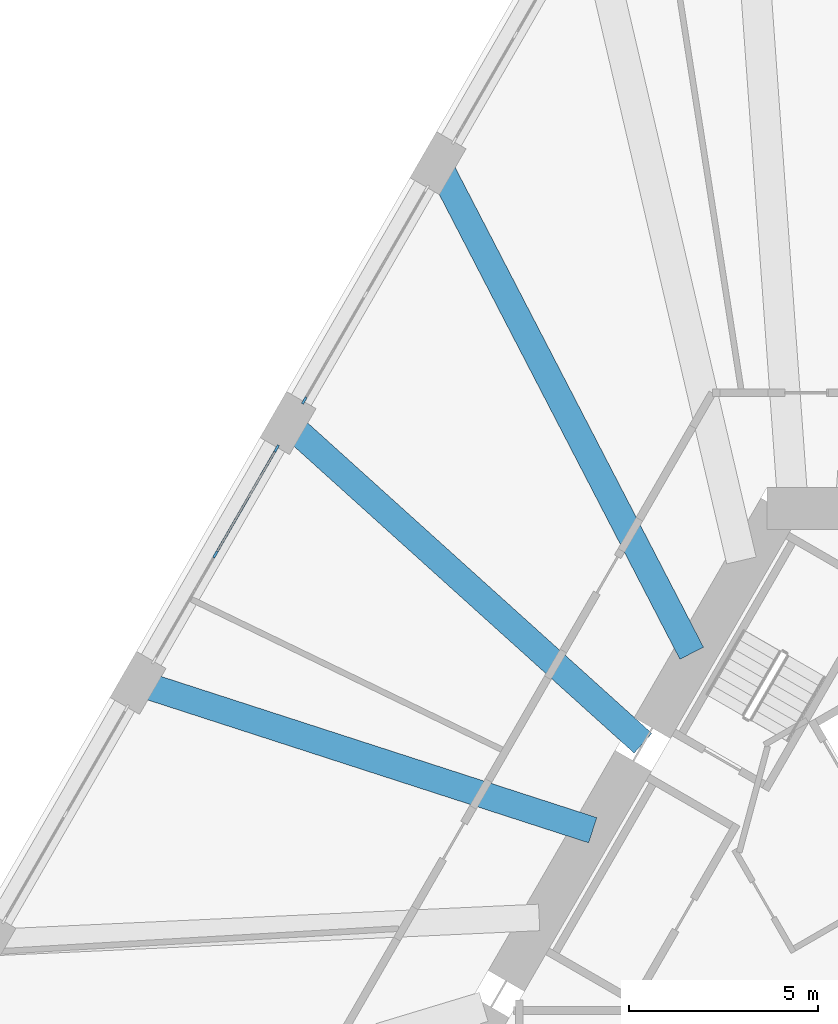
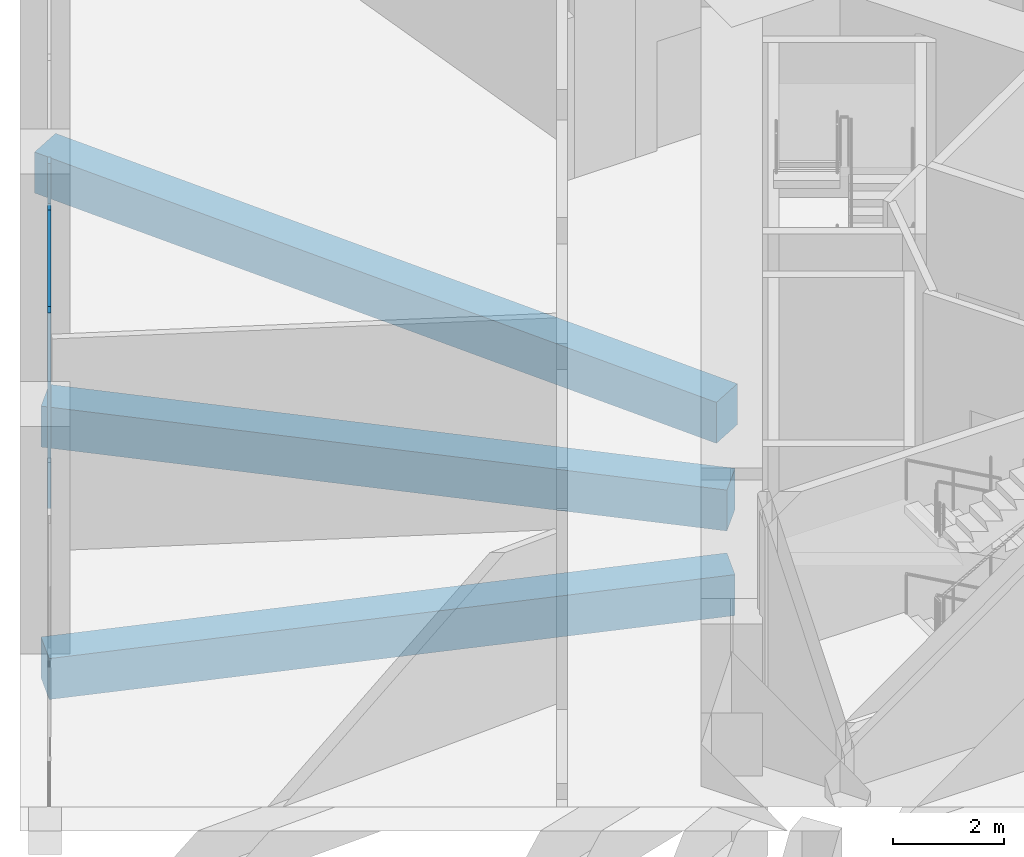
# One storey, part 6 of 20: 4 members, 3 beams, 2 elements without a shape of their own.
"""IFC4 building model written with IfcOpenShell, lengths in metres."""

from ifc_helpers import new_model, si_unit, direction, frame, origin, origin_2d, place, context, subcontext, project, spatial, rectangle, extrude, material, layer, layer_set, material_profile, profile_set, type_object, element, aggregate, save


model = new_model("IFC4")

# Units and contexts
model_context = context("Model", 3, precision=1e-05, world=origin(), true_north=direction((0.0, 1.0)))
body_context = subcontext(model_context, "Body", "Model", "MODEL_VIEW")
ifc_project = project(units=[si_unit("LENGTHUNIT", "METRE"), si_unit("AREAUNIT", "SQUARE_METRE"), si_unit("VOLUMEUNIT", "CUBIC_METRE"), si_unit("PLANEANGLEUNIT", "RADIAN"), si_unit("MASSUNIT", "GRAM", prefix="KILO")], contexts=[model_context])

# Site, building, storey
site_placement = place(None, origin())
site = spatial("IfcSite", under=ifc_project, at=site_placement, CompositionType="ELEMENT")
building_placement = place(site_placement, origin())
building = spatial("IfcBuilding", under=site, at=building_placement, Name="Tramontana Tower", CompositionType="ELEMENT")
storey_placement = place(building_placement, frame((0.0, 0.0, 20.0)))
storey = spatial("IfcBuildingStorey", under=building, at=storey_placement, Name="L03", CompositionType="ELEMENT", Elevation=20.0)

# Curtain wall, member
ifc_material_1 = material(Name="Aluminum extrusion", Category="aluminium")
ifc_layer = layer(ifc_material_1, 0.14990234375)
ifc_layer_set = layer_set([ifc_layer], Name="CW2 Podium amenity curtain wall")
curtain_wall_type = type_object("IfcCurtainWallType", Name="CW2 Podium amenity curtain wall", PredefinedType="NOTDEFINED", material=ifc_layer_set)
curtain_wall_1_placement = place(storey_placement, origin())
curtain_wall_1 = element("IfcCurtainWall", 1, at=curtain_wall_1_placement, inside=storey, type_object=curtain_wall_type, Name="CW2 curtain wall L03 face 0 bay 3", PredefinedType="NOTDEFINED")
ifc_material_2 = material(Name="Aluminum extrusion", Category="aluminium")
ifc_material_profile_1 = material_profile(ifc_material_2, rectangle(XDim=0.06005859375, YDim=0.199951171875, at=origin_2d()), Name="CW2-M Mullion 60 x 200")
ifc_profile_set_1 = profile_set([ifc_material_profile_1], Name="Aluminum extrusion")
member_type_1 = type_object("IfcMemberType", Name="CW2-M Mullion 60 x 200", PredefinedType="MULLION", material=ifc_profile_set_1)
member_1_placement = place(storey_placement, frame((-13.6552734375, 13.29833984375, 0.0), z_axis=(0.0, 0.0, 1.0), x_axis=(0.866025403784, -0.5, 0.0)))
member_1 = element("IfcMember", 2, at=member_1_placement, type_object=member_type_1, Name="CW2 curtain wall L03 face 0 bay 3 mullion 3", PredefinedType="MULLION", context=body_context, shape_type="SweptSolid", body=[
    extrude(rectangle(XDim=0.06005859375, YDim=0.199951171875, at=origin_2d()), origin(), (0.0, 0.0, 1.0), 4.300048828125),
])
aggregate(curtain_wall_1, [member_1])

# Curtain wall, members
curtain_wall_2_placement = place(storey_placement, origin())
curtain_wall_2 = element("IfcCurtainWall", 3, at=curtain_wall_2_placement, inside=storey, type_object=curtain_wall_type, Name="CW2 curtain wall L03 face 0 bay 4", PredefinedType="NOTDEFINED")
member_2_placement = place(storey_placement, frame((-14.38525390625, 12.033935546875, 0.0), z_axis=(0.0, 0.0, 1.0), x_axis=(0.866025403784, -0.5, 0.0)))
member_2 = element("IfcMember", 4, at=member_2_placement, type_object=member_type_1, Name="CW2 curtain wall L03 face 0 bay 4 mullion 1", PredefinedType="MULLION", context=body_context, shape_type="SweptSolid", body=[
    extrude(rectangle(XDim=0.06005859375, YDim=0.199951171875, at=origin_2d()), origin(), (0.0, 0.0, 1.0), 4.300048828125),
])
member_3_placement = place(storey_placement, frame((-15.999755859375, 9.237548828125, 0.0), z_axis=(0.0, 0.0, 1.0), x_axis=(0.866025403784, -0.5, 0.0)))
member_3 = element("IfcMember", 5, at=member_3_placement, type_object=member_type_1, Name="CW2 curtain wall L03 face 0 bay 4 mullion 2", PredefinedType="MULLION", context=body_context, shape_type="SweptSolid", body=[
    extrude(rectangle(XDim=0.06005859375, YDim=0.199951171875, at=origin_2d()), origin(), (0.0, 0.0, 1.0), 4.300048828125),
])
ifc_material_3 = material(Name="Aluminum extrusion", Category="aluminium")
ifc_material_profile_2 = material_profile(ifc_material_3, rectangle(XDim=0.06005859375, YDim=0.1201171875, at=origin_2d()), Name="CW2-T Transom 60 x 120")
ifc_profile_set_2 = profile_set([ifc_material_profile_2], Name="Aluminum extrusion")
member_type_2 = type_object("IfcMemberType", Name="CW2-T Transom 60 x 120", PredefinedType="USERDEFINED", material=ifc_profile_set_2)
member_4_placement = place(storey_placement, frame((-14.400390625, 12.0078125, 4.239990234375), z_axis=(-0.500000324964, -0.866025216166, 0.0), x_axis=(0.866025216166, -0.500000324964, 0.0)))
member_4 = element("IfcMember", 6, at=member_4_placement, type_object=member_type_2, Name="CW2 curtain wall L03 face 0 bay 4 transom 1.1", ObjectType="TRANSOM", PredefinedType="USERDEFINED", context=body_context, shape_type="SweptSolid", body=[
    extrude(rectangle(XDim=0.06005859375, YDim=0.1201171875, at=origin_2d()), origin(), (0.0, 0.0, 1.0), 3.1689453125),
])
aggregate(curtain_wall_2, [member_2, member_3, member_4])

# Beams
ifc_material_4 = material(Name="Concrete 40 MPa", Category="concrete")
ifc_material_profile_3 = material_profile(ifc_material_4, rectangle(XDim=0.699951171875, YDim=0.89990234375, at=origin_2d()), Name="RC GIRDER 700X900 40 MPa")
ifc_profile_set_3 = profile_set([ifc_material_profile_3], Name="Concrete 40 MPa")
beam_type = type_object("IfcBeamType", Name="RC GIRDER 700X900 40 MPa", PredefinedType="BEAM", material=ifc_profile_set_3)
beam_1_placement = place(storey_placement, frame((-10.126220703125, 19.560791015625, -0.800048828125), z_axis=(0.459730770714, -0.88805834181, 0.0), x_axis=(0.88805834181, 0.459730770714, 0.0)))
element("IfcBeam", 7, at=beam_1_placement, inside=storey, type_object=beam_type, Name="Radial girder C0F02 L03", PredefinedType="BEAM", context=body_context, shape_type="SweptSolid", body=[
    extrude(rectangle(XDim=0.699951171875, YDim=0.89990234375, at=origin_2d()), origin(), (0.0, 0.0, 1.0), 14.5615234375),
])
beam_2_placement = place(storey_placement, frame((-14.085205078125, 12.70361328125, -0.800048828125), z_axis=(0.742588406407, -0.669748056116, 0.0), x_axis=(0.669748056116, 0.742588406407, 0.0)))
element("IfcBeam", 8, at=beam_2_placement, inside=storey, type_object=beam_type, Name="Radial girder C0F03 L03", PredefinedType="BEAM", context=body_context, shape_type="SweptSolid", body=[
    extrude(rectangle(XDim=0.699951171875, YDim=0.89990234375, at=origin_2d()), origin(), (0.0, 0.0, 1.0), 12.615966796875),
])
beam_3_placement = place(storey_placement, frame((-18.044189453125, 5.846435546875, -0.800048828125), z_axis=(0.951314408854, -0.30822215285, 0.0), x_axis=(0.30822215285, 0.951314408854, 0.0)))
element("IfcBeam", 9, at=beam_3_placement, inside=storey, type_object=beam_type, Name="Radial girder C0F04 L03", PredefinedType="BEAM", context=body_context, shape_type="SweptSolid", body=[
    extrude(rectangle(XDim=0.699951171875, YDim=0.89990234375, at=origin_2d()), origin(), (0.0, 0.0, 1.0), 12.61572265625),
])

save(model, "model.ifc")
